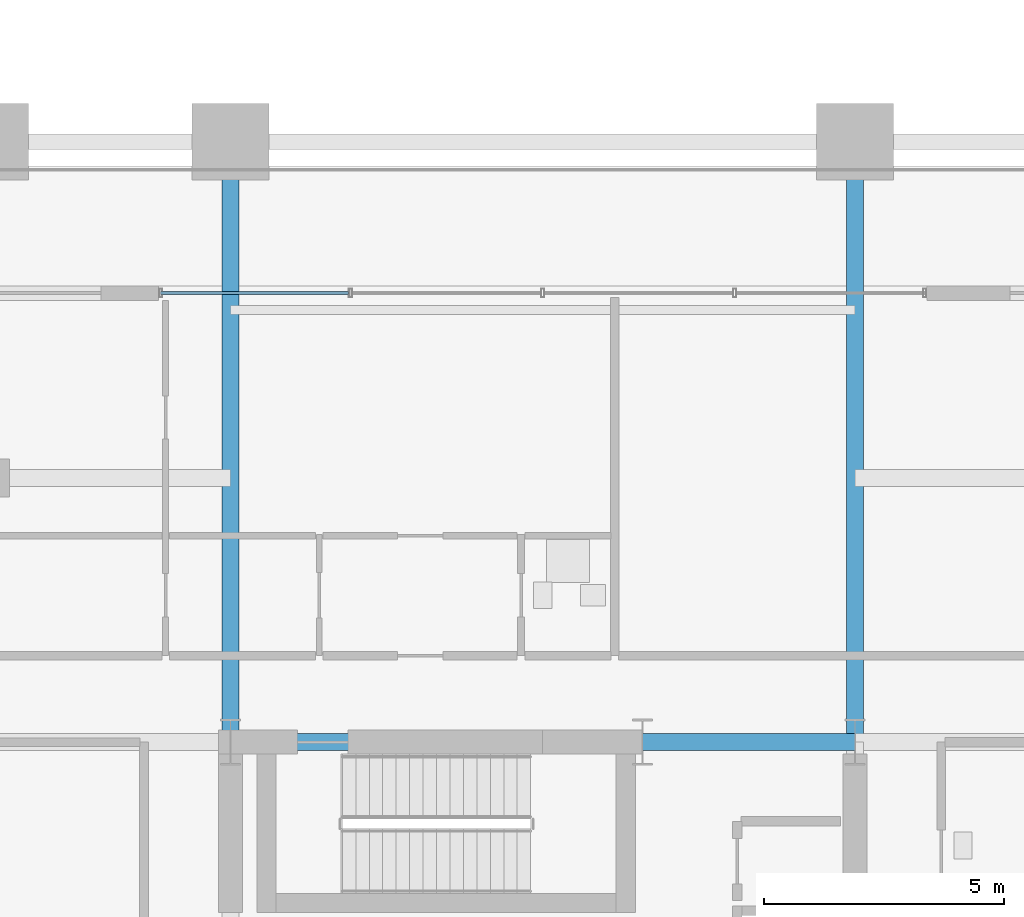
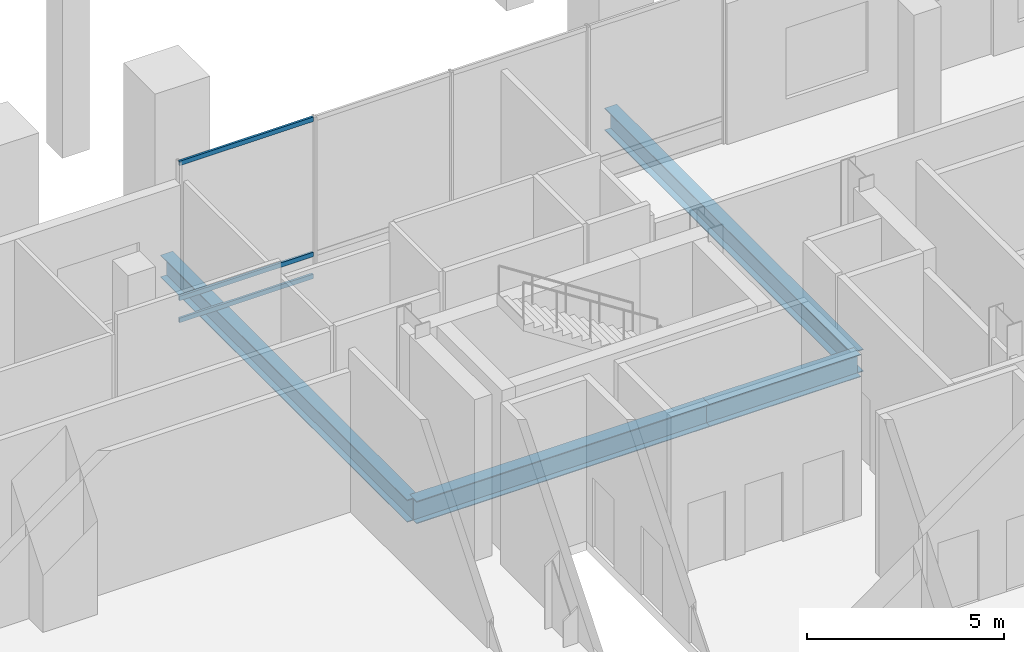
# One storey, part 9 of 25: 4 beams, 3 members, 1 element without a shape of its own.
"""IFC4 building model written with IfcOpenShell, lengths in metres."""

from ifc_helpers import new_model, si_unit, direction, frame, origin, origin_2d, place, context, subcontext, project, spatial, hollow_rectangle, i_section, extrude, material, layer, layer_set, material_profile, profile_set, type_object, element, aggregate, save


model = new_model("IFC4")

# Units and contexts
model_context = context("Model", 3, precision=1e-05, world=origin(), true_north=direction((0.0, 1.0)))
body_context = subcontext(model_context, "Body", "Model", "MODEL_VIEW")
ifc_project = project(units=[si_unit("LENGTHUNIT", "METRE"), si_unit("AREAUNIT", "SQUARE_METRE"), si_unit("VOLUMEUNIT", "CUBIC_METRE"), si_unit("PLANEANGLEUNIT", "RADIAN"), si_unit("MASSUNIT", "GRAM", prefix="KILO")], contexts=[model_context])

# Site, building, storey
site_placement = place(None, origin())
site = spatial("IfcSite", under=ifc_project, at=site_placement, CompositionType="ELEMENT")
building_placement = place(site_placement, origin())
building = spatial("IfcBuilding", under=site, at=building_placement, Name="Barlavira Tower and Art Museum", CompositionType="ELEMENT")
storey_placement = place(building_placement, frame((0.0, 0.0, 22.199951171875)))
storey = spatial("IfcBuildingStorey", under=building, at=storey_placement, Name="L04", CompositionType="ELEMENT", Elevation=22.199951171875)

# Curtain wall, members
ifc_material_1 = material(Name="Low-iron coastal laminated glass", Category="glass")
ifc_layer = layer(ifc_material_1, 0.179931640625, Name="Low-iron coastal laminated glass")
ifc_layer_set = layer_set([ifc_layer], Name="Low-iron coastal laminated glass")
curtain_wall_type = type_object("IfcCurtainWallType", Name="Pale-Metal Unitised Curtain Wall Zone 1", PredefinedType="NOTDEFINED", material=ifc_layer_set)
curtain_wall_placement = place(storey_placement, origin())
curtain_wall = element("IfcCurtainWall", 1, at=curtain_wall_placement, inside=storey, type_object=curtain_wall_type, Name="L04 Curtain Wall CW1-L04-N", PredefinedType="NOTDEFINED")
ifc_material_2 = material(Name="Pale anodised aluminium", Category="aluminium")
ifc_material_profile_1 = material_profile(ifc_material_2, hollow_rectangle(XDim=0.06494140625, YDim=0.139892578125, WallThickness=0.00390625, at=origin_2d()), Name="ALU-TRAN 65x140x4")
ifc_profile_set_1 = profile_set([ifc_material_profile_1], Name="Pale anodised aluminium")
member_type = type_object("IfcMemberType", Name="Curtain Wall Pale-Metal Transom 65x140", PredefinedType="USERDEFINED", material=ifc_profile_set_1)
member_1_placement = place(storey_placement, frame((-4.044921875, 16.85009765625, 0.070068359375), z_axis=(-1.0, 0.0, 0.0), x_axis=(0.0, -1.0, 0.0)))
member_1 = element("IfcMember", 2, at=member_1_placement, type_object=member_type, Name="CW1-L04-N Transom 3.1", ObjectType="TRANSOM", PredefinedType="USERDEFINED", context=body_context, shape_type="SweptSolid", body=[
    extrude(hollow_rectangle(XDim=0.06494140625, YDim=0.139892578125, WallThickness=0.00390625, at=origin_2d()), origin(), (0.0, 0.0, 1.0), 3.91015625),
])
member_2_placement = place(storey_placement, frame((-4.044921875, 16.85009765625, 0.75), z_axis=(-1.0, 0.0, 0.0), x_axis=(0.0, -1.0, 0.0)))
member_2 = element("IfcMember", 3, at=member_2_placement, type_object=member_type, Name="CW1-L04-N Transom 3.2", ObjectType="TRANSOM", PredefinedType="USERDEFINED", context=body_context, shape_type="SweptSolid", body=[
    extrude(hollow_rectangle(XDim=0.06494140625, YDim=0.139892578125, WallThickness=0.00390625, at=origin_2d()), origin(), (0.0, 0.0, 1.0), 3.91015625),
])
member_3_placement = place(storey_placement, frame((-4.044921875, 16.85009765625, 4.929931640625), z_axis=(-1.0, 0.0, 0.0), x_axis=(0.0, -1.0, 0.0)))
member_3 = element("IfcMember", 4, at=member_3_placement, type_object=member_type, Name="CW1-L04-N Transom 3.3", ObjectType="TRANSOM", PredefinedType="USERDEFINED", context=body_context, shape_type="SweptSolid", body=[
    extrude(hollow_rectangle(XDim=0.06494140625, YDim=0.139892578125, WallThickness=0.00390625, at=origin_2d()), origin(), (0.0, 0.0, 1.0), 3.91015625),
])
aggregate(curtain_wall, [member_1, member_2, member_3])

# Beams
ifc_material_3 = material(Name="Steel S355", Category="steel")
ifc_material_profile_2 = material_profile(ifc_material_3, i_section(OverallWidth=0.35595703125, OverallDepth=0.695068359375, WebThickness=0.014892578125, FlangeThickness=0.023681640625, at=origin_2d()), Name="W690x192.0")
ifc_profile_set_2 = profile_set([ifc_material_profile_2], Name="Steel S355")
beam_type = type_object("IfcBeamType", Name="Podium Primary Girder W690x192 Steel S355", PredefinedType="BEAM", material=ifc_profile_set_2)
beam_1_placement = place(storey_placement, frame((-6.5, 7.5, -0.62744140625), z_axis=(1.0, 0.0, 0.0), x_axis=(0.0, 1.0, 0.0)))
element("IfcBeam", 5, at=beam_1_placement, inside=storey, type_object=beam_type, Name="L04 Girder C-N1", PredefinedType="BEAM", context=body_context, shape_type="SweptSolid", body=[
    extrude(i_section(OverallWidth=0.35595703125, OverallDepth=0.695068359375, WebThickness=0.014892578125, FlangeThickness=0.023681640625, at=origin_2d()), origin(), (0.0, 0.0, 1.0), 8.580078125),
])
beam_2_placement = place(storey_placement, frame((2.080078125, 7.5, -0.62744140625), z_axis=(1.0, 0.0, 0.0), x_axis=(0.0, 1.0, 0.0)))
element("IfcBeam", 6, at=beam_2_placement, inside=storey, type_object=beam_type, Name="L04 Girder C-N2", PredefinedType="BEAM", context=body_context, shape_type="SweptSolid", body=[
    extrude(i_section(OverallWidth=0.35595703125, OverallDepth=0.695068359375, WebThickness=0.014892578125, FlangeThickness=0.023681640625, at=origin_2d()), origin(), (0.0, 0.0, 1.0), 4.419921875),
])
for number, where, z_axis, x_axis, name in (
    (7, (-6.5, 7.5, -0.62744140625), (0.0, 1.0, 0.0), (-1.0, 0.0, 0.0), "L04 Girder R-N1"),
    (8, (6.5, 7.5, -0.62744140625), (0.0, 1.0, 0.0), (-1.0, 0.0, 0.0), "L04 Girder R-N2"),
):
    element("IfcBeam", number, at=place(storey_placement, frame(where, z_axis=z_axis, x_axis=x_axis)), inside=storey, type_object=beam_type, Name=name, PredefinedType="BEAM", context=body_context, shape_type="SweptSolid", body=[
        extrude(i_section(OverallWidth=0.35595703125, OverallDepth=0.695068359375, WebThickness=0.014892578125, FlangeThickness=0.023681640625, at=origin_2d()), origin(), (0.0, 0.0, 1.0), 12.5),
    ])

save(model, "model.ifc")
